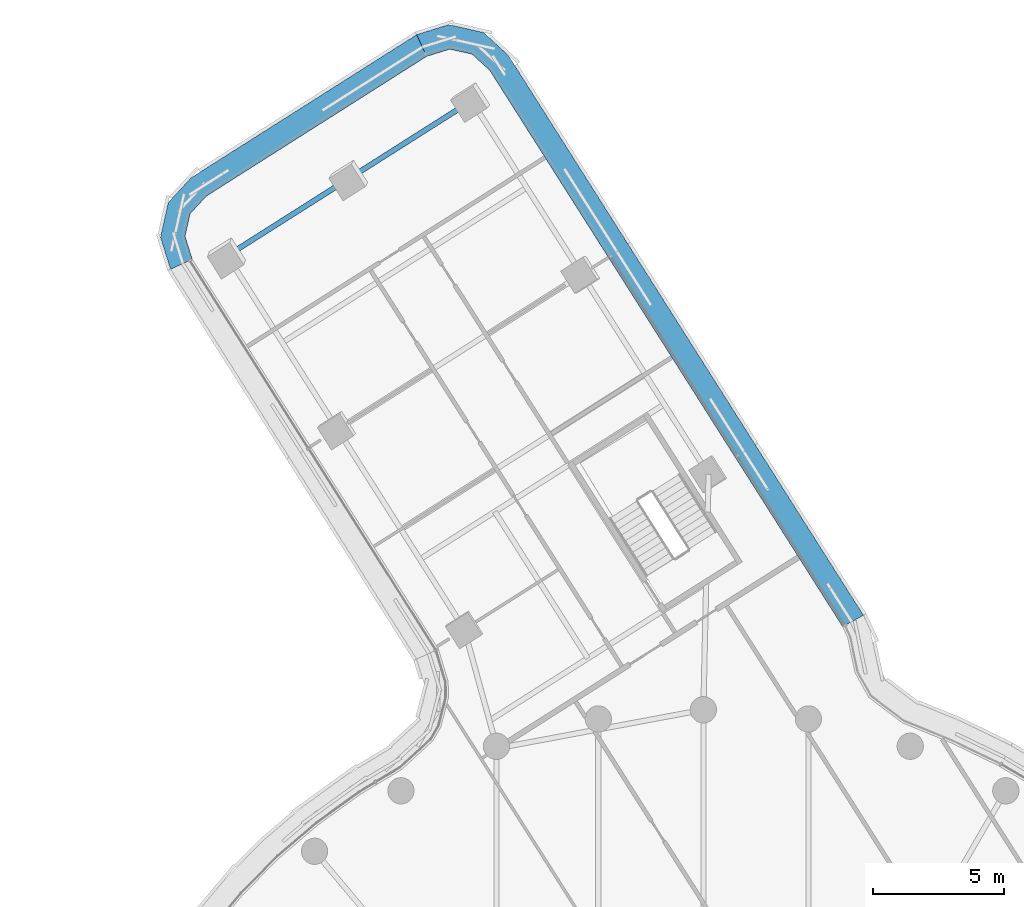
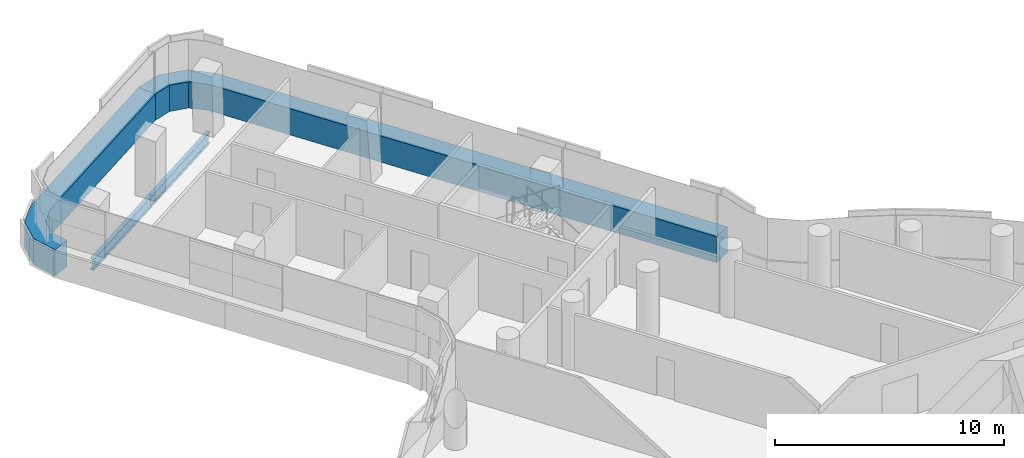
# One storey, part 18 of 36: 2 beams, 2 members, 2 elements without a shape of their own.
"""IFC4 building model written with IfcOpenShell, lengths in metres."""

from ifc_helpers import new_model, si_unit, direction, frame, origin, origin_2d, place, context, subcontext, project, spatial, polyline, i_section, outline, extrude, material, layer, layer_set, material_profile, profile_set, type_object, element, aggregate, save


model = new_model("IFC4")

# Units and contexts
model_context = context("Model", 3, precision=1e-05, world=origin(), true_north=direction((0.0, 1.0)))
body_context = subcontext(model_context, "Body", "Model", "MODEL_VIEW")
ifc_project = project(units=[si_unit("LENGTHUNIT", "METRE"), si_unit("AREAUNIT", "SQUARE_METRE"), si_unit("VOLUMEUNIT", "CUBIC_METRE"), si_unit("PLANEANGLEUNIT", "RADIAN"), si_unit("MASSUNIT", "GRAM", prefix="KILO")], contexts=[model_context])

# Site, building, storey
site_placement = place(None, origin())
site = spatial("IfcSite", under=ifc_project, at=site_placement, CompositionType="ELEMENT")
building_placement = place(site_placement, origin())
building = spatial("IfcBuilding", under=site, at=building_placement, Name="Tamarind Cross Interchange Tower", CompositionType="ELEMENT")
storey_placement = place(building_placement, frame((0.0, 0.0, 151.75)))
storey = spatial("IfcBuildingStorey", under=building, at=storey_placement, Name="L37", CompositionType="ELEMENT", Elevation=151.75)

# Beams
ifc_material_1 = material(Name="Steel Q355B", Category="steel")
ifc_material_profile = material_profile(ifc_material_1, i_section(OverallWidth=0.199951171875, OverallDepth=0.60009765625, WebThickness=0.010986328125, FlangeThickness=0.01708984375, FilletRadius=0.012939453125, at=origin_2d()), Name="HN 600x200x11x17")
ifc_profile_set = profile_set([ifc_material_profile], Name="Steel Q355B")
beam_type = type_object("IfcBeamType", Name="Composite beam HN 600x200x11x17 Q355B", PredefinedType="BEAM", material=ifc_profile_set)
beam_1_placement = place(storey_placement, frame((-8.811279296875, 46.157958984375, -0.43994140625), z_axis=(-0.844435610152, -0.535657073422, 0.0), x_axis=(0.535657073422, -0.844435610152, 0.0)))
element("IfcBeam", 1, at=beam_1_placement, inside=storey, type_object=beam_type, Name="Beam N-tip0", PredefinedType="BEAM", context=body_context, shape_type="SweptSolid", body=[
    extrude(i_section(OverallWidth=0.199951171875, OverallDepth=0.60009765625, WebThickness=0.010986328125, FlangeThickness=0.01708984375, FilletRadius=0.012939453125, at=origin_2d()), origin(), (0.0, 0.0, 1.0), 5.499755859375),
])
beam_2_placement = place(storey_placement, frame((-13.45556640625, 43.2119140625, -0.43994140625), z_axis=(-0.844448346262, -0.535636995077, 0.0), x_axis=(0.535636995077, -0.844448346262, 0.0)))
element("IfcBeam", 2, at=beam_2_placement, inside=storey, type_object=beam_type, Name="Beam N-tip1", PredefinedType="BEAM", context=body_context, shape_type="SweptSolid", body=[
    extrude(i_section(OverallWidth=0.199951171875, OverallDepth=0.60009765625, WebThickness=0.010986328125, FlangeThickness=0.01708984375, FilletRadius=0.012939453125, at=origin_2d()), origin(), (0.0, 0.0, 1.0), 5.5),
])

# Curtain wall, member
ifc_material_2 = material(Name="Aluminium 6063-T6", Category="aluminium")
ifc_layer = layer(ifc_material_2, 0.159912109375)
ifc_layer_set = layer_set([ifc_layer], Name="Aluminium 6063-T6")
curtain_wall_type = type_object("IfcCurtainWallType", Name="Office curtain wall, 9.0 m bays", PredefinedType="NOTDEFINED", material=ifc_layer_set)
curtain_wall_1_placement = place(storey_placement, origin())
curtain_wall_1 = element("IfcCurtainWall", 3, at=curtain_wall_1_placement, inside=storey, type_object=curtain_wall_type, Name="CWS-L37-00", PredefinedType="NOTDEFINED")
ifc_material_3 = material(Name="Aluminium and insulated spandrel panel", Category="aluminium")
member_type = type_object("IfcMemberType", Name="Floor-edge blade transom", PredefinedType="USERDEFINED", material=ifc_material_3)
member_1_placement = place(storey_placement, origin())
member_1 = element("IfcMember", 4, at=member_1_placement, type_object=member_type, Name="CWT-L37-00", ObjectType="TRANSOM", PredefinedType="USERDEFINED", context=body_context, shape_type="SweptSolid", body=[
    extrude(outline(polyline([(-10.520263671875, 47.844970703125), (-18.89794921875, 42.53076171875), (-19.517578125, 41.85693359375), (-19.70849609375, 41.003662109375), (-19.43505859375, 40.1298828125), (-20.2587890625, 39.74853515625), (-20.6396484375, 40.96484375), (-20.34326171875, 42.288818359375), (-19.47998046875, 43.227294921875), (-10.90234375, 48.66845703125), (-10.520263671875, 47.844970703125)])), origin(), (0.0, 0.0, 1.0), 1.39990234375),
])
aggregate(curtain_wall_1, [member_1])

curtain_wall_2_placement = place(storey_placement, origin())
curtain_wall_2 = element("IfcCurtainWall", 5, at=curtain_wall_2_placement, inside=storey, type_object=curtain_wall_type, Name="CWS-L37-15", PredefinedType="NOTDEFINED")
member_2_placement = place(storey_placement, origin())
member_2 = element("IfcMember", 6, at=member_2_placement, type_object=member_type, Name="CWT-L37-15", ObjectType="TRANSOM", PredefinedType="USERDEFINED", context=body_context, shape_type="SweptSolid", body=[
    extrude(outline(polyline([(5.294677734375, 26.161376953125), (-8.11962890625, 47.307861328125), (-8.79345703125, 47.927734375), (-9.646728515625, 48.11865234375), (-10.520263671875, 47.844970703125), (-10.90234375, 48.66845703125), (-9.685546875, 49.049560546875), (-8.361572265625, 48.75341796875), (-7.423095703125, 47.89013671875), (6.086181640625, 26.59375), (5.294677734375, 26.161376953125)])), origin(), (0.0, 0.0, 1.0), 1.39990234375),
])
aggregate(curtain_wall_2, [member_2])

save(model, "model.ifc")
